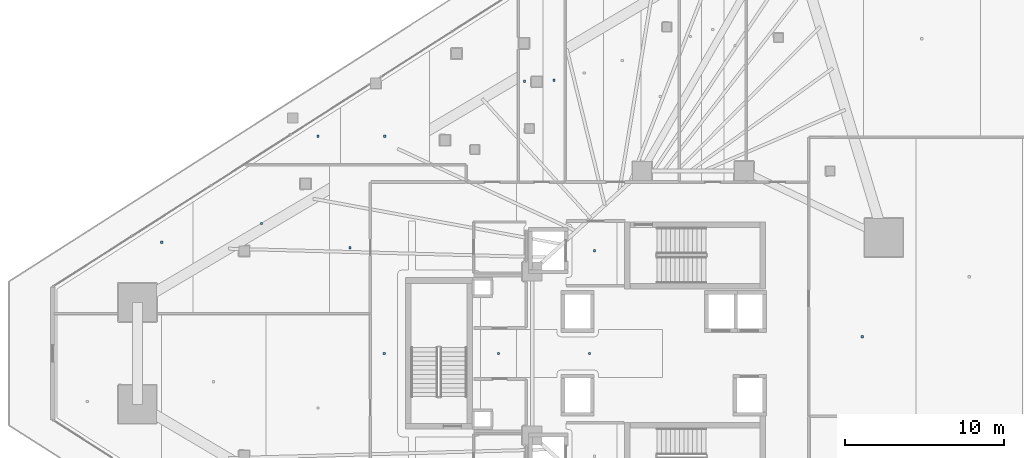
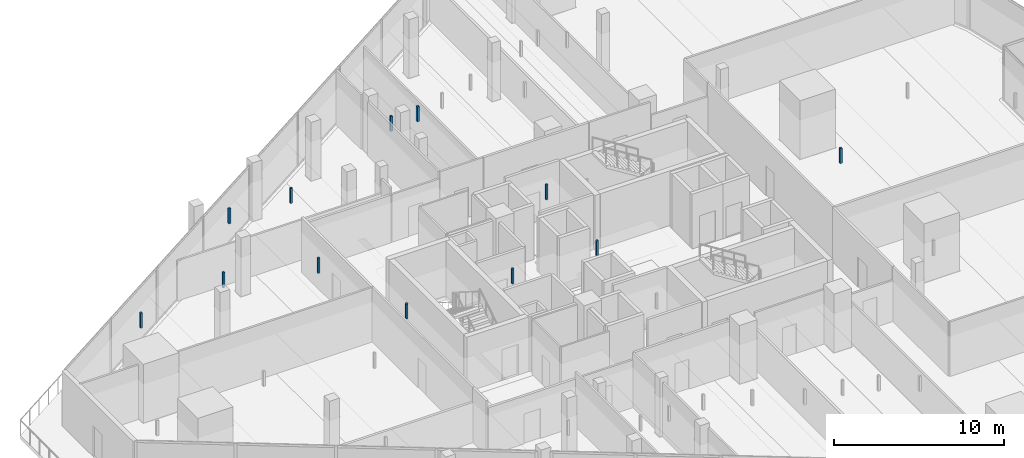
# One storey, part 34 of 44: 12 discrete accessories.
"""IFC4 building model written with IfcOpenShell, lengths in metres."""

from ifc_helpers import new_model, si_unit, direction, frame, origin, origin_2d, place, context, subcontext, project, spatial, rectangle, extrude, material, type_object, element, save


model = new_model("IFC4")

# Units and contexts
model_context = context("Model", 3, precision=1e-05, world=origin(), true_north=direction((0.0, 1.0)))
body_context = subcontext(model_context, "Body", "Model", "MODEL_VIEW")
ifc_project = project(units=[si_unit("LENGTHUNIT", "METRE"), si_unit("AREAUNIT", "SQUARE_METRE"), si_unit("VOLUMEUNIT", "CUBIC_METRE"), si_unit("PLANEANGLEUNIT", "RADIAN"), si_unit("MASSUNIT", "GRAM", prefix="KILO")], contexts=[model_context])

# Site, building, storey
site_placement = place(None, origin())
site = spatial("IfcSite", under=ifc_project, at=site_placement, CompositionType="ELEMENT")
building_placement = place(site_placement, origin())
building = spatial("IfcBuilding", under=site, at=building_placement, Name="Qorvath Tower", CompositionType="ELEMENT")
storey_placement = place(building_placement, frame((0.0, 0.0, 53.39990234375)))
storey = spatial("IfcBuildingStorey", under=building, at=storey_placement, Name="L11", CompositionType="ELEMENT", Elevation=53.39990234375)

# Discrete accessories
ifc_material = material(Name="Galvanised steel bracket", Category="steel")
discrete_accessory_type = type_object("IfcDiscreteAccessoryType", Name="DA-BRACKET", PredefinedType="BRACKET", material=ifc_material)
for number, where, z_axis, x_axis, name in (
    (1, (-26.590087890625, 6.449951171875, 2.85986328125), (0.0, 0.0, 1.0), (1.0, 0.0, 0.0), "Acoustic Ceiling Suspension Hanger T1-L11-001"),
    (2, (-39.797607421875, 0.0, 2.85986328125), (0.0, 0.0, 1.0), (1.0, 0.0, 0.0), "Acoustic Ceiling Suspension Hanger T1-L11-007"),
    (3, (-32.620849609375, 0.0, 2.85986328125), (0.0, 0.0, 1.0), (1.0, 0.0, 0.0), "Acoustic Ceiling Suspension Hanger T1-L11-008"),
    (4, (-26.89990234375, 0.0, 2.85986328125), (0.0, 0.0, 1.0), (1.0, 0.0, 0.0), "Acoustic Ceiling Suspension Hanger T1-L11-009"),
    (5, (-43.944091796875, 13.63720703125, 2.85986328125), (0.0, 0.0, 1.0), (1.0, 0.0, 0.0), "Acoustic Ceiling Suspension Hanger T1-L11-010"),
    (6, (-39.75634765625, 13.635009765625, 2.85986328125), (0.0, 0.0, 1.0), (1.0, 0.0, 0.0), "Acoustic Ceiling Suspension Hanger T1-L11-011"),
    (7, (-30.98193359375, 17.080810546875, 2.85986328125), (0.0, 0.0, 1.0), (1.0, 0.0, 0.0), "Acoustic Ceiling Suspension Hanger T1-L11-013"),
    (8, (-29.138427734375, 17.150146484375, 2.85986328125), (0.0, 0.0, 1.0), (1.0, 0.0, 0.0), "Acoustic Ceiling Suspension Hanger T1-L11-014"),
    (9, (-9.781982421875, 1.052734375, 2.85986328125), (0.0, 0.0, 1.0), (1.0, 0.0, 0.0), "Acoustic Ceiling Suspension Hanger T1-L11-038"),
    (10, (-53.76171875, 6.981201171875, 2.85986328125), (0.0, 0.0, 1.0), (1.0, 0.0, 0.0), "Acoustic Ceiling Suspension Hanger T1-L11-047"),
    (11, (-47.50439453125, 8.14990234375, 2.85986328125), (0.0, 0.0, 1.0), (1.0, 0.0, 0.0), "Acoustic Ceiling Suspension Hanger T1-L11-048"),
    (12, (-41.943115234375, 6.636962890625, 2.85986328125), (0.0, 0.0, 1.0), (1.0, 0.0, 0.0), "Acoustic Ceiling Suspension Hanger T1-L11-049"),
):
    element("IfcDiscreteAccessory", number, at=place(storey_placement, frame(where, z_axis=z_axis, x_axis=x_axis)), inside=storey, type_object=discrete_accessory_type, Name=name, PredefinedType="NOTDEFINED", context=body_context, shape_type="SweptSolid", body=[
        extrude(rectangle(XDim=0.139892578125, YDim=0.139892578125, at=origin_2d()), origin(), (0.0, 0.0, 1.0), 1.090087890625),
    ])

save(model, "model.ifc")
